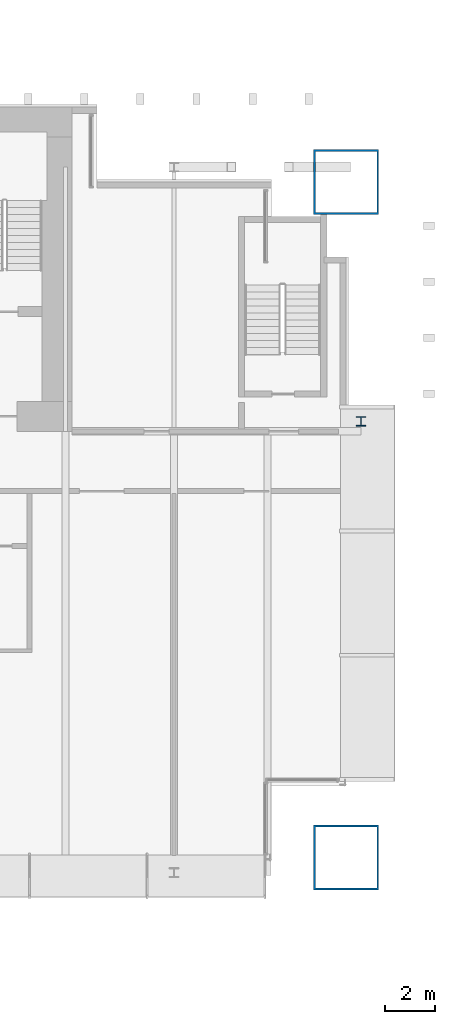
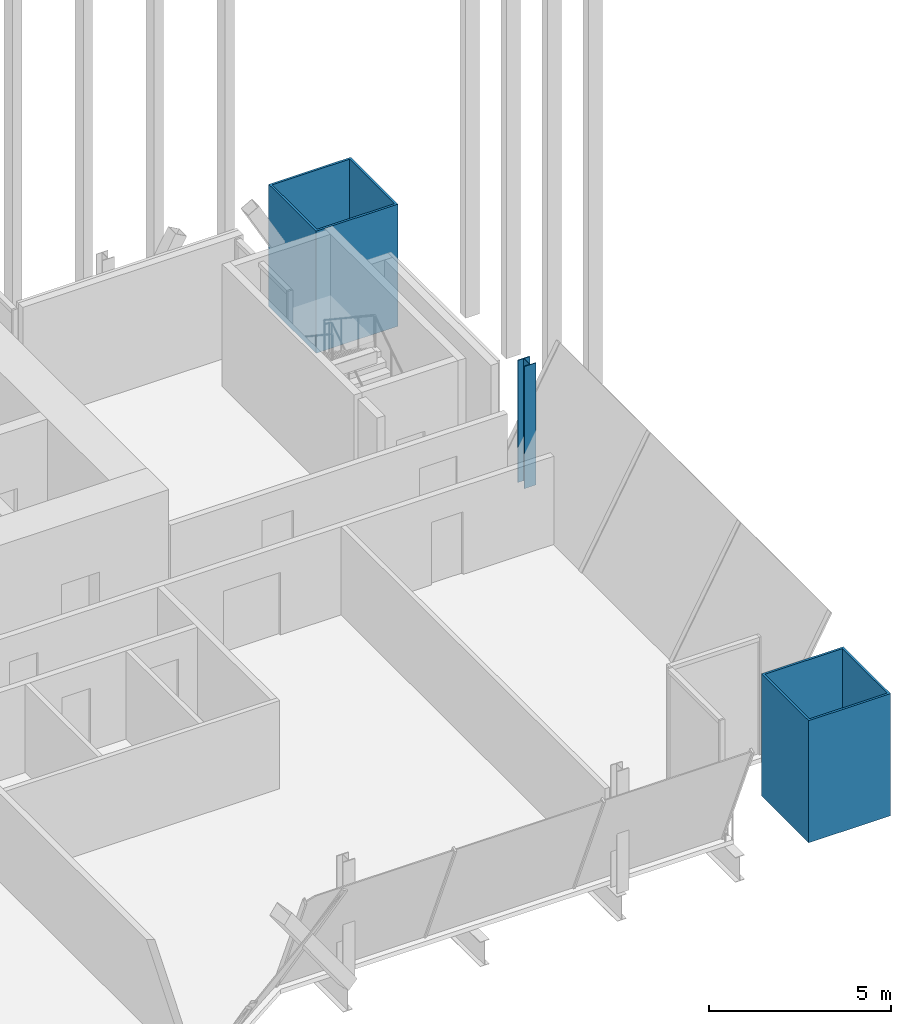
# One storey, part 4 of 29: 3 columns.
"""IFC4 building model written with IfcOpenShell, lengths in metres."""

from ifc_helpers import new_model, si_unit, direction, frame, origin, origin_2d, place, context, subcontext, project, spatial, hollow_rectangle, i_section, extrude, material, material_profile, profile_set, type_object, element, save


model = new_model("IFC4")

# Units and contexts
model_context = context("Model", 3, precision=1e-05, world=origin(), true_north=direction((0.0, 1.0)))
body_context = subcontext(model_context, "Body", "Model", "MODEL_VIEW")
ifc_project = project(units=[si_unit("LENGTHUNIT", "METRE"), si_unit("AREAUNIT", "SQUARE_METRE"), si_unit("VOLUMEUNIT", "CUBIC_METRE"), si_unit("PLANEANGLEUNIT", "RADIAN"), si_unit("MASSUNIT", "GRAM", prefix="KILO")], contexts=[model_context])

# Site, building, storey
site_placement = place(None, origin())
site = spatial("IfcSite", under=ifc_project, at=site_placement, CompositionType="ELEMENT")
building_placement = place(site_placement, origin())
building = spatial("IfcBuilding", under=site, at=building_placement, Name="Bicima Exchange Tower", CompositionType="ELEMENT")
storey_placement = place(building_placement, frame((0.0, 0.0, 190.89990234375)))
storey = spatial("IfcBuildingStorey", under=building, at=storey_placement, Name="L42", CompositionType="ELEMENT", Elevation=190.89990234375)

# Columns
ifc_material_1 = material(Name="Steel ASTM A572 Gr 50", Category="steel")
ifc_material_profile_1 = material_profile(ifc_material_1, hollow_rectangle(XDim=2.60009765625, YDim=2.60009765625, WallThickness=0.070068359375, at=origin_2d()))
ifc_profile_set_1 = profile_set([ifc_material_profile_1], Name="Steel ASTM A572 Gr 50")
column_type_1 = type_object("IfcColumnType", Name="Mega column BOX 2600x2600x70", PredefinedType="COLUMN", material=ifc_profile_set_1)
for number, where, z_axis, x_axis, name in (
    (1, (33.0, -30.093994140625, 0.0), (0.0, 0.0, 1.0), (1.0, 0.0, 0.0), "Mega column mega+33.0f"),
    (2, (33.0, -3.0, 0.0), (0.0, 0.0, 1.0), (1.0, 0.0, 0.0), "Mega column mega+33.0r"),
):
    element("IfcColumn", number, at=place(storey_placement, frame(where, z_axis=z_axis, x_axis=x_axis)), inside=storey, type_object=column_type_1, Name=name, PredefinedType="COLUMN", context=body_context, shape_type="SweptSolid", body=[
        extrude(hollow_rectangle(XDim=2.60009765625, YDim=2.60009765625, WallThickness=0.070068359375, at=origin_2d()), origin(), (0.0, 0.0, 1.0), 4.10009765625),
    ])
ifc_material_2 = material(Name="Steel ASTM A992 Gr 50", Category="steel")
ifc_material_profile_2 = material_profile(ifc_material_2, i_section(OverallWidth=0.373291015625, OverallDepth=0.373291015625, WebThickness=0.016357421875, FlangeThickness=0.026123046875, at=origin_2d()))
ifc_profile_set_2 = profile_set([ifc_material_profile_2], Name="Steel ASTM A992 Gr 50")
column_type_2 = type_object("IfcColumnType", Name="Perimeter column W14x132", PredefinedType="COLUMN", material=ifc_profile_set_2)
column_placement = place(storey_placement, frame((33.60009765625, -12.60009765625, 0.0), z_axis=(0.0, 0.0, 1.0), x_axis=(1.0, 0.0, 0.0)))
element("IfcColumn", 3, at=column_placement, inside=storey, type_object=column_type_2, Name="End column end+33.6e", PredefinedType="COLUMN", context=body_context, shape_type="SweptSolid", body=[
    extrude(i_section(OverallWidth=0.373291015625, OverallDepth=0.373291015625, WebThickness=0.016357421875, FlangeThickness=0.026123046875, at=origin_2d()), origin(), (0.0, 0.0, 1.0), 4.10009765625),
])

save(model, "model.ifc")
